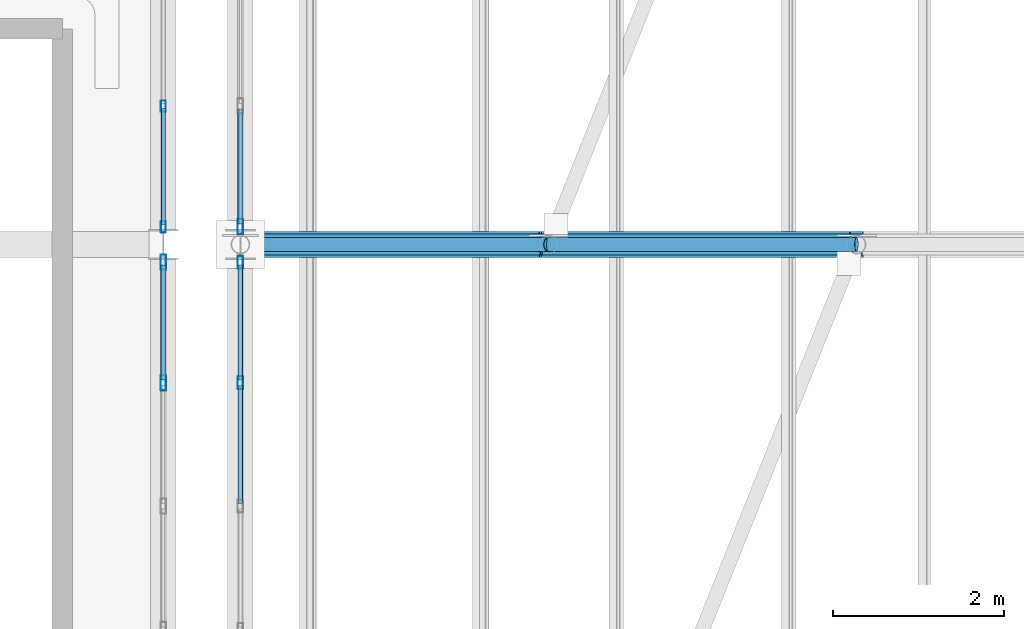
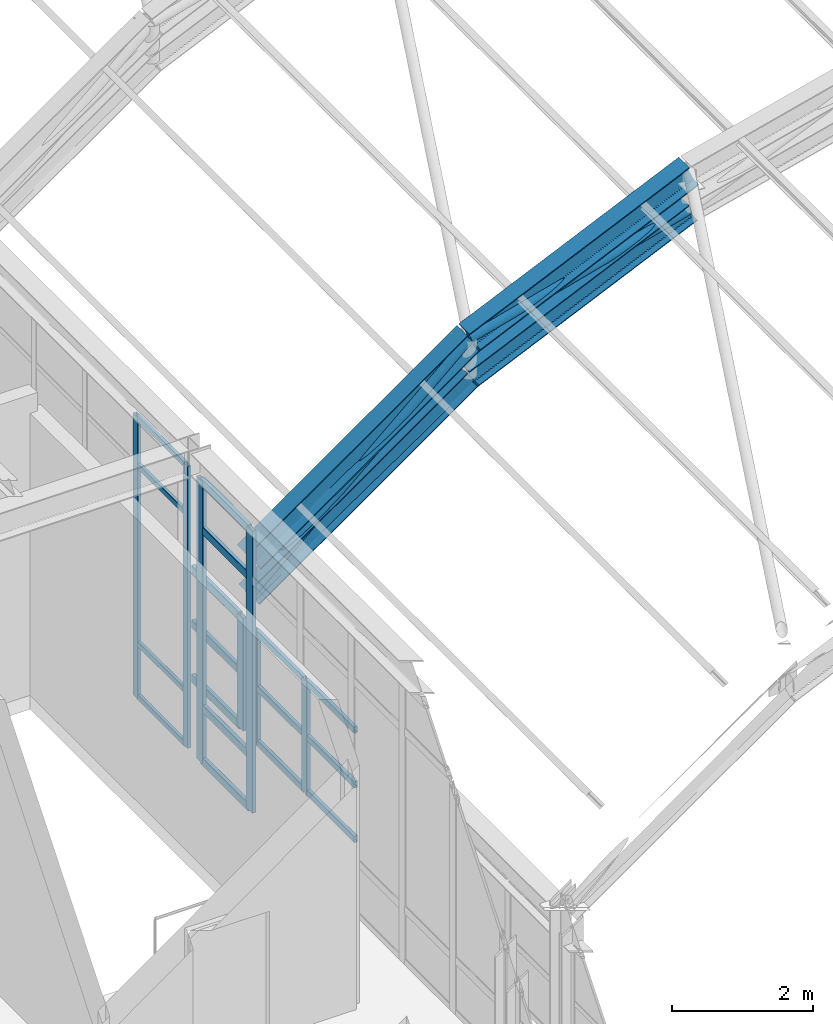
# One storey, part 68 of 121: 28 members, 2 beams, 4 elements without a shape of their own.
"""IFC4 building model written with IfcOpenShell, lengths in metres."""

from ifc_helpers import new_model, si_unit, direction, frame, origin, origin_2d, place, context, subcontext, project, spatial, hollow_rectangle, hollow_circle, i_section, extrude, material, material_profile, profile_set, type_object, element, aggregate, save


model = new_model("IFC4")

# Units and contexts
model_context = context("Model", 3, precision=1e-05, world=origin(), true_north=direction((0.0, 1.0)))
body_context = subcontext(model_context, "Body", "Model", "MODEL_VIEW")
ifc_project = project(units=[si_unit("LENGTHUNIT", "METRE"), si_unit("AREAUNIT", "SQUARE_METRE"), si_unit("VOLUMEUNIT", "CUBIC_METRE"), si_unit("PLANEANGLEUNIT", "RADIAN"), si_unit("MASSUNIT", "GRAM", prefix="KILO")], contexts=[model_context])

# Site, building, storey
site_placement = place(None, origin())
site = spatial("IfcSite", under=ifc_project, at=site_placement, CompositionType="ELEMENT")
building_placement = place(site_placement, origin())
building = spatial("IfcBuilding", under=site, at=building_placement, Name="Canglan Escarpment Cableway Terminal", CompositionType="ELEMENT")
storey_placement = place(building_placement, frame((0.0, 0.0, 24.60009765625)))
storey = spatial("IfcBuildingStorey", under=building, at=storey_placement, Name="L05", CompositionType="ELEMENT", Elevation=24.60009765625)

# Beams
ifc_material_1 = material(Name="Steel Q355B", Category="steel")
ifc_material_profile_1 = material_profile(ifc_material_1, i_section(OverallWidth=0.300048828125, OverallDepth=0.389892578125, WebThickness=0.010009765625, FlangeThickness=0.01611328125, FilletRadius=0.02197265625, at=origin_2d()), Name="HM 390x300x10x16")
ifc_profile_set_1 = profile_set([ifc_material_profile_1], Name="Steel Q355B")
beam_type = type_object("IfcBeamType", Name="BM-ARCH-TOP-HM390", PredefinedType="BEAM", material=ifc_profile_set_1)
beam_1_placement = place(storey_placement, frame((137.60009765625, 106.0, 3.08251953125), z_axis=(0.817731009495, 0.0, 0.575600552563), x_axis=(0.0, 1.0, 0.0)))
element("IfcBeam", 1, at=beam_1_placement, inside=storey, type_object=beam_type, Name="Vault ROOF TRUSS arch top chord AR-TC1", PredefinedType="BEAM", context=body_context, shape_type="SweptSolid", body=[
    extrude(i_section(OverallWidth=0.300048828125, OverallDepth=0.389892578125, WebThickness=0.010009765625, FlangeThickness=0.01611328125, FilletRadius=0.02197265625, at=origin_2d()), origin(), (0.0, 0.0, 1.0), 4.40234375),
])
beam_2_placement = place(storey_placement, frame((141.199951171875, 106.0, 5.616455078125), z_axis=(0.911752518833, 0.0, 0.410739996108), x_axis=(0.0, 1.0, 0.0)))
element("IfcBeam", 2, at=beam_2_placement, inside=storey, type_object=beam_type, Name="Vault ROOF TRUSS arch top chord AR-TC1", PredefinedType="BEAM", context=body_context, shape_type="SweptSolid", body=[
    extrude(i_section(OverallWidth=0.300048828125, OverallDepth=0.389892578125, WebThickness=0.010009765625, FlangeThickness=0.01611328125, FilletRadius=0.02197265625, at=origin_2d()), origin(), (0.0, 0.0, 1.0), 3.948486328125),
])

# Curtain wall, members
ifc_material_2 = material(Name="Anodized bronze aluminium and Low-E double glazing", Category="aluminium")
curtain_wall_type_1 = type_object("IfcCurtainWallType", Name="CW-BAY-8650x4875", PredefinedType="NOTDEFINED", material=ifc_material_2)
curtain_wall_1_placement = place(storey_placement, origin())
curtain_wall_1 = element("IfcCurtainWall", 3, at=curtain_wall_1_placement, inside=storey, type_object=curtain_wall_type_1, Name="Classical bay-between-piers glazed curtain wall CW-58", PredefinedType="NOTDEFINED")
ifc_material_3 = material(Name="Thermally broken anodized aluminium 6063-T6", Category="aluminium")
ifc_material_profile_2 = material_profile(ifc_material_3, hollow_rectangle(XDim=0.06005859375, YDim=0.1298828125, WallThickness=0.0029296875, InnerFilletRadius=0.0029296875, OuterFilletRadius=0.006103515625, at=origin_2d()), Name="ALU-MULL 60x130x3")
ifc_profile_set_2 = profile_set([ifc_material_profile_2], Name="Thermally broken anodized aluminium 6063-T6")
member_type_1 = type_object("IfcMemberType", Name="CWM-01", PredefinedType="MULLION", material=ifc_profile_set_2)
member_1_placement = place(storey_placement, frame((136.699951171875, 106.205078125, 0.0), z_axis=(0.0, 0.0, 1.0), x_axis=(-1.0, 0.0, 0.0)))
member_1 = element("IfcMember", 4, at=member_1_placement, type_object=member_type_1, Name="CW-58 mullion 1", PredefinedType="MULLION", context=body_context, shape_type="SweptSolid", body=[
    extrude(hollow_rectangle(XDim=0.06005859375, YDim=0.1298828125, WallThickness=0.0029296875, InnerFilletRadius=0.0029296875, OuterFilletRadius=0.006103515625, at=origin_2d()), origin(), (0.0, 0.0, 1.0), 4.880859375),
])
member_2_placement = place(storey_placement, frame((136.699951171875, 107.61669921875, 0.0), z_axis=(0.0, 0.0, 1.0), x_axis=(-1.0, 0.0, 0.0)))
member_2 = element("IfcMember", 5, at=member_2_placement, type_object=member_type_1, Name="CW-58 mullion 2", PredefinedType="MULLION", context=body_context, shape_type="SweptSolid", body=[
    extrude(hollow_rectangle(XDim=0.06005859375, YDim=0.1298828125, WallThickness=0.0029296875, InnerFilletRadius=0.0029296875, OuterFilletRadius=0.006103515625, at=origin_2d()), origin(), (0.0, 0.0, 1.0), 4.880859375),
])

curtain_wall_type_2 = type_object("IfcCurtainWallType", Name="CW-BAY-8650x1950", PredefinedType="NOTDEFINED", material=ifc_material_2)
curtain_wall_2_placement = place(storey_placement, origin())
curtain_wall_2 = element("IfcCurtainWall", 6, at=curtain_wall_2_placement, inside=storey, type_object=curtain_wall_type_2, Name="Classical bay-between-piers glazed curtain wall CW-66", PredefinedType="NOTDEFINED")
ifc_material_profile_3 = material_profile(ifc_material_3, hollow_rectangle(XDim=0.06494140625, YDim=0.14990234375, WallThickness=0.00341796875, InnerFilletRadius=0.00341796875, OuterFilletRadius=0.007080078125, at=origin_2d()), Name="ALU-MULL 65x150x3.5")
ifc_profile_set_3 = profile_set([ifc_material_profile_3], Name="Thermally broken anodized aluminium 6063-T6")
member_type_2 = type_object("IfcMemberType", Name="CWM-02", PredefinedType="MULLION", material=ifc_profile_set_3)
member_3_placement = place(storey_placement, frame((137.60009765625, 105.79248046875, 0.0), z_axis=(0.0, 0.0, 1.0), x_axis=(1.0, 0.0, 0.0)))
member_3 = element("IfcMember", 7, at=member_3_placement, type_object=member_type_2, Name="CW-66 mullion 1", PredefinedType="MULLION", context=body_context, shape_type="SweptSolid", body=[
    extrude(hollow_rectangle(XDim=0.06494140625, YDim=0.14990234375, WallThickness=0.00341796875, InnerFilletRadius=0.00341796875, OuterFilletRadius=0.007080078125, at=origin_2d()), origin(), (0.0, 0.0, 1.0), 1.949951171875),
])
member_4_placement = place(storey_placement, frame((137.60009765625, 104.38330078125, 0.0), z_axis=(0.0, 0.0, 1.0), x_axis=(1.0, 0.0, 0.0)))
member_4 = element("IfcMember", 8, at=member_4_placement, type_object=member_type_2, Name="CW-66 mullion 2", PredefinedType="MULLION", context=body_context, shape_type="SweptSolid", body=[
    extrude(hollow_rectangle(XDim=0.06494140625, YDim=0.14990234375, WallThickness=0.00341796875, InnerFilletRadius=0.00341796875, OuterFilletRadius=0.007080078125, at=origin_2d()), origin(), (0.0, 0.0, 1.0), 1.949951171875),
])

curtain_wall_3_placement = place(storey_placement, origin())
curtain_wall_3 = element("IfcCurtainWall", 9, at=curtain_wall_3_placement, inside=storey, type_object=curtain_wall_type_1, Name="Classical bay-between-piers glazed curtain wall CW-58", PredefinedType="NOTDEFINED")
ifc_material_profile_4 = material_profile(ifc_material_3, hollow_rectangle(XDim=0.06494140625, YDim=0.179931640625, WallThickness=0.00390625, InnerFilletRadius=0.00390625, OuterFilletRadius=0.008056640625, at=origin_2d()), Name="ALU-MULL 65x180x4")
ifc_profile_set_4 = profile_set([ifc_material_profile_4], Name="Thermally broken anodized aluminium 6063-T6")
member_type_3 = type_object("IfcMemberType", Name="CWM-03", PredefinedType="MULLION", material=ifc_profile_set_4)
member_5_placement = place(storey_placement, frame((136.699951171875, 104.38330078125, 0.0), z_axis=(0.0, 0.0, 1.0), x_axis=(-1.0, 0.0, 0.0)))
member_5 = element("IfcMember", 10, at=member_5_placement, type_object=member_type_3, Name="CW-58 mullion 6", PredefinedType="MULLION", context=body_context, shape_type="SweptSolid", body=[
    extrude(hollow_rectangle(XDim=0.06494140625, YDim=0.179931640625, WallThickness=0.00390625, InnerFilletRadius=0.00390625, OuterFilletRadius=0.008056640625, at=origin_2d()), origin(), (0.0, 0.0, 1.0), 4.880859375),
])
member_6_placement = place(storey_placement, frame((136.699951171875, 105.79248046875, 0.0), z_axis=(0.0, 0.0, 1.0), x_axis=(-1.0, 0.0, 0.0)))
member_6 = element("IfcMember", 11, at=member_6_placement, type_object=member_type_3, Name="CW-58 mullion 7", PredefinedType="MULLION", context=body_context, shape_type="SweptSolid", body=[
    extrude(hollow_rectangle(XDim=0.06494140625, YDim=0.179931640625, WallThickness=0.00390625, InnerFilletRadius=0.00390625, OuterFilletRadius=0.008056640625, at=origin_2d()), origin(), (0.0, 0.0, 1.0), 4.880859375),
])

# Curtain wall, member
curtain_wall_4_placement = place(storey_placement, origin())
curtain_wall_4 = element("IfcCurtainWall", 12, at=curtain_wall_4_placement, inside=storey, type_object=curtain_wall_type_2, Name="Classical bay-between-piers glazed curtain wall CW-66", PredefinedType="NOTDEFINED")
member_7_placement = place(storey_placement, frame((137.60009765625, 106.20751953125, 0.0), z_axis=(0.0, 0.0, 1.0), x_axis=(1.0, 0.0, 0.0)))
member_7 = element("IfcMember", 13, at=member_7_placement, type_object=member_type_3, Name="CW-66 mullion 7", PredefinedType="MULLION", context=body_context, shape_type="SweptSolid", body=[
    extrude(hollow_rectangle(XDim=0.06494140625, YDim=0.179931640625, WallThickness=0.00390625, InnerFilletRadius=0.00390625, OuterFilletRadius=0.008056640625, at=origin_2d()), origin(), (0.0, 0.0, 1.0), 1.949951171875),
])

# Member
ifc_material_profile_5 = material_profile(ifc_material_3, hollow_rectangle(XDim=0.054931640625, YDim=0.094970703125, WallThickness=0.0029296875, InnerFilletRadius=0.0029296875, OuterFilletRadius=0.006103515625, at=origin_2d()), Name="ALU-TRAN 55x95x3")
ifc_profile_set_5 = profile_set([ifc_material_profile_5], Name="Thermally broken anodized aluminium 6063-T6")
member_type_4 = type_object("IfcMemberType", Name="CWT-01", PredefinedType="USERDEFINED", material=ifc_profile_set_5)
member_8_placement = place(storey_placement, frame((136.699951171875, 106.235107421875, 0.02734375), z_axis=(0.0, 1.0, 0.0), x_axis=(-1.0, 0.0, 0.0)))
member_8 = element("IfcMember", 14, at=member_8_placement, type_object=member_type_4, Name="CW-58 transom 1.1", ObjectType="TRANSOM", PredefinedType="USERDEFINED", context=body_context, shape_type="SweptSolid", body=[
    extrude(hollow_rectangle(XDim=0.054931640625, YDim=0.094970703125, WallThickness=0.0029296875, InnerFilletRadius=0.0029296875, OuterFilletRadius=0.006103515625, at=origin_2d()), origin(), (0.0, 0.0, 1.0), 1.3515625),
])

member_9_placement = place(storey_placement, frame((136.699951171875, 106.235107421875, 0.949951171875), z_axis=(0.0, 1.0, 0.0), x_axis=(-1.0, 0.0, 0.0)))
member_9 = element("IfcMember", 15, at=member_9_placement, type_object=member_type_4, Name="CW-58 transom 1.2", ObjectType="TRANSOM", PredefinedType="USERDEFINED", context=body_context, shape_type="SweptSolid", body=[
    extrude(hollow_rectangle(XDim=0.054931640625, YDim=0.094970703125, WallThickness=0.0029296875, InnerFilletRadius=0.0029296875, OuterFilletRadius=0.006103515625, at=origin_2d()), origin(), (0.0, 0.0, 1.0), 1.3515625),
])

member_10_placement = place(storey_placement, frame((136.699951171875, 106.235107421875, 4.031005859375), z_axis=(0.0, 1.0, 0.0), x_axis=(-1.0, 0.0, 0.0)))
member_10 = element("IfcMember", 16, at=member_10_placement, type_object=member_type_4, Name="CW-58 transom 1.3", ObjectType="TRANSOM", PredefinedType="USERDEFINED", context=body_context, shape_type="SweptSolid", body=[
    extrude(hollow_rectangle(XDim=0.054931640625, YDim=0.094970703125, WallThickness=0.0029296875, InnerFilletRadius=0.0029296875, OuterFilletRadius=0.006103515625, at=origin_2d()), origin(), (0.0, 0.0, 1.0), 1.3515625),
])

member_11_placement = place(storey_placement, frame((136.699951171875, 106.235107421875, 4.853515625), z_axis=(0.0, 1.0, 0.0), x_axis=(-1.0, 0.0, 0.0)))
member_11 = element("IfcMember", 17, at=member_11_placement, type_object=member_type_4, Name="CW-58 transom 1.4", ObjectType="TRANSOM", PredefinedType="USERDEFINED", context=body_context, shape_type="SweptSolid", body=[
    extrude(hollow_rectangle(XDim=0.054931640625, YDim=0.094970703125, WallThickness=0.0029296875, InnerFilletRadius=0.0029296875, OuterFilletRadius=0.006103515625, at=origin_2d()), origin(), (0.0, 0.0, 1.0), 1.3515625),
])

aggregate(curtain_wall_1, [member_1, member_2, member_8, member_9, member_10, member_11])

ifc_material_profile_6 = material_profile(ifc_material_3, hollow_rectangle(XDim=0.06005859375, YDim=0.110107421875, WallThickness=0.0029296875, InnerFilletRadius=0.0029296875, OuterFilletRadius=0.006103515625, at=origin_2d()), Name="ALU-TRAN 60x110x3")
ifc_profile_set_6 = profile_set([ifc_material_profile_6], Name="Thermally broken anodized aluminium 6063-T6")
member_type_5 = type_object("IfcMemberType", Name="CWT-02", PredefinedType="USERDEFINED", material=ifc_profile_set_6)
member_12_placement = place(storey_placement, frame((137.60009765625, 105.760009765625, 0.02978515625), z_axis=(0.0, -1.0, 0.0), x_axis=(1.0, 0.0, 0.0)))
member_12 = element("IfcMember", 18, at=member_12_placement, type_object=member_type_5, Name="CW-66 transom 1.1", ObjectType="TRANSOM", PredefinedType="USERDEFINED", context=body_context, shape_type="SweptSolid", body=[
    extrude(hollow_rectangle(XDim=0.06005859375, YDim=0.110107421875, WallThickness=0.0029296875, InnerFilletRadius=0.0029296875, OuterFilletRadius=0.006103515625, at=origin_2d()), origin(), (0.0, 0.0, 1.0), 1.34423828125),
])

member_13_placement = place(storey_placement, frame((137.60009765625, 105.760009765625, 0.974853515625), z_axis=(0.0, -1.0, 0.0), x_axis=(1.0, 0.0, 0.0)))
member_13 = element("IfcMember", 19, at=member_13_placement, type_object=member_type_5, Name="CW-66 transom 1.2", ObjectType="TRANSOM", PredefinedType="USERDEFINED", context=body_context, shape_type="SweptSolid", body=[
    extrude(hollow_rectangle(XDim=0.06005859375, YDim=0.110107421875, WallThickness=0.0029296875, InnerFilletRadius=0.0029296875, OuterFilletRadius=0.006103515625, at=origin_2d()), origin(), (0.0, 0.0, 1.0), 1.34423828125),
])

member_14_placement = place(storey_placement, frame((137.60009765625, 105.760009765625, 1.919921875), z_axis=(0.0, -1.0, 0.0), x_axis=(1.0, 0.0, 0.0)))
member_14 = element("IfcMember", 20, at=member_14_placement, type_object=member_type_5, Name="CW-66 transom 1.3", ObjectType="TRANSOM", PredefinedType="USERDEFINED", context=body_context, shape_type="SweptSolid", body=[
    extrude(hollow_rectangle(XDim=0.06005859375, YDim=0.110107421875, WallThickness=0.0029296875, InnerFilletRadius=0.0029296875, OuterFilletRadius=0.006103515625, at=origin_2d()), origin(), (0.0, 0.0, 1.0), 1.34423828125),
])

member_15_placement = place(storey_placement, frame((137.60009765625, 104.350830078125, 0.02978515625), z_axis=(0.0, -1.0, 0.0), x_axis=(1.0, 0.0, 0.0)))
member_15 = element("IfcMember", 21, at=member_15_placement, type_object=member_type_5, Name="CW-66 transom 2.1", ObjectType="TRANSOM", PredefinedType="USERDEFINED", context=body_context, shape_type="SweptSolid", body=[
    extrude(hollow_rectangle(XDim=0.06005859375, YDim=0.110107421875, WallThickness=0.0029296875, InnerFilletRadius=0.0029296875, OuterFilletRadius=0.006103515625, at=origin_2d()), origin(), (0.0, 0.0, 1.0), 1.376708984375),
])

member_16_placement = place(storey_placement, frame((137.60009765625, 104.350830078125, 0.974853515625), z_axis=(0.0, -1.0, 0.0), x_axis=(1.0, 0.0, 0.0)))
member_16 = element("IfcMember", 22, at=member_16_placement, type_object=member_type_5, Name="CW-66 transom 2.2", ObjectType="TRANSOM", PredefinedType="USERDEFINED", context=body_context, shape_type="SweptSolid", body=[
    extrude(hollow_rectangle(XDim=0.06005859375, YDim=0.110107421875, WallThickness=0.0029296875, InnerFilletRadius=0.0029296875, OuterFilletRadius=0.006103515625, at=origin_2d()), origin(), (0.0, 0.0, 1.0), 1.376708984375),
])

member_17_placement = place(storey_placement, frame((137.60009765625, 104.350830078125, 1.919921875), z_axis=(0.0, -1.0, 0.0), x_axis=(1.0, 0.0, 0.0)))
member_17 = element("IfcMember", 23, at=member_17_placement, type_object=member_type_5, Name="CW-66 transom 2.3", ObjectType="TRANSOM", PredefinedType="USERDEFINED", context=body_context, shape_type="SweptSolid", body=[
    extrude(hollow_rectangle(XDim=0.06005859375, YDim=0.110107421875, WallThickness=0.0029296875, InnerFilletRadius=0.0029296875, OuterFilletRadius=0.006103515625, at=origin_2d()), origin(), (0.0, 0.0, 1.0), 1.376708984375),
])

aggregate(curtain_wall_2, [member_3, member_4, member_12, member_13, member_14, member_15, member_16, member_17])

ifc_material_profile_7 = material_profile(ifc_material_3, hollow_rectangle(XDim=0.06494140625, YDim=0.139892578125, WallThickness=0.00341796875, InnerFilletRadius=0.00341796875, OuterFilletRadius=0.007080078125, at=origin_2d()), Name="ALU-TRAN 65x140x3.5")
ifc_profile_set_7 = profile_set([ifc_material_profile_7], Name="Thermally broken anodized aluminium 6063-T6")
member_type_6 = type_object("IfcMemberType", Name="CWT-03", PredefinedType="USERDEFINED", material=ifc_profile_set_7)
member_18_placement = place(storey_placement, frame((136.699951171875, 104.415771484375, 0.032470703125), z_axis=(0.0, 1.0, 0.0), x_axis=(-1.0, 0.0, 0.0)))
member_18 = element("IfcMember", 24, at=member_18_placement, type_object=member_type_6, Name="CW-58 transom 6.1", ObjectType="TRANSOM", PredefinedType="USERDEFINED", context=body_context, shape_type="SweptSolid", body=[
    extrude(hollow_rectangle(XDim=0.06494140625, YDim=0.139892578125, WallThickness=0.00341796875, InnerFilletRadius=0.00341796875, OuterFilletRadius=0.007080078125, at=origin_2d()), origin(), (0.0, 0.0, 1.0), 1.34423828125),
])

member_19_placement = place(storey_placement, frame((136.699951171875, 104.415771484375, 0.949951171875), z_axis=(0.0, 1.0, 0.0), x_axis=(-1.0, 0.0, 0.0)))
member_19 = element("IfcMember", 25, at=member_19_placement, type_object=member_type_6, Name="CW-58 transom 6.2", ObjectType="TRANSOM", PredefinedType="USERDEFINED", context=body_context, shape_type="SweptSolid", body=[
    extrude(hollow_rectangle(XDim=0.06494140625, YDim=0.139892578125, WallThickness=0.00341796875, InnerFilletRadius=0.00341796875, OuterFilletRadius=0.007080078125, at=origin_2d()), origin(), (0.0, 0.0, 1.0), 1.34423828125),
])

member_20_placement = place(storey_placement, frame((136.699951171875, 104.415771484375, 4.031005859375), z_axis=(0.0, 1.0, 0.0), x_axis=(-1.0, 0.0, 0.0)))
member_20 = element("IfcMember", 26, at=member_20_placement, type_object=member_type_6, Name="CW-58 transom 6.3", ObjectType="TRANSOM", PredefinedType="USERDEFINED", context=body_context, shape_type="SweptSolid", body=[
    extrude(hollow_rectangle(XDim=0.06494140625, YDim=0.139892578125, WallThickness=0.00341796875, InnerFilletRadius=0.00341796875, OuterFilletRadius=0.007080078125, at=origin_2d()), origin(), (0.0, 0.0, 1.0), 1.34423828125),
])

member_21_placement = place(storey_placement, frame((136.699951171875, 104.415771484375, 4.848388671875), z_axis=(0.0, 1.0, 0.0), x_axis=(-1.0, 0.0, 0.0)))
member_21 = element("IfcMember", 27, at=member_21_placement, type_object=member_type_6, Name="CW-58 transom 6.4", ObjectType="TRANSOM", PredefinedType="USERDEFINED", context=body_context, shape_type="SweptSolid", body=[
    extrude(hollow_rectangle(XDim=0.06494140625, YDim=0.139892578125, WallThickness=0.00341796875, InnerFilletRadius=0.00341796875, OuterFilletRadius=0.007080078125, at=origin_2d()), origin(), (0.0, 0.0, 1.0), 1.34423828125),
])

aggregate(curtain_wall_3, [member_5, member_6, member_18, member_19, member_20, member_21])

member_22_placement = place(storey_placement, frame((137.60009765625, 107.584228515625, 0.032470703125), z_axis=(0.0, -1.0, 0.0), x_axis=(1.0, 0.0, 0.0)))
member_22 = element("IfcMember", 28, at=member_22_placement, type_object=member_type_6, Name="CW-66 transom 6.1", ObjectType="TRANSOM", PredefinedType="USERDEFINED", context=body_context, shape_type="SweptSolid", body=[
    extrude(hollow_rectangle(XDim=0.06494140625, YDim=0.139892578125, WallThickness=0.00341796875, InnerFilletRadius=0.00341796875, OuterFilletRadius=0.007080078125, at=origin_2d()), origin(), (0.0, 0.0, 1.0), 1.34423828125),
])

member_23_placement = place(storey_placement, frame((137.60009765625, 107.584228515625, 0.974853515625), z_axis=(0.0, -1.0, 0.0), x_axis=(1.0, 0.0, 0.0)))
member_23 = element("IfcMember", 29, at=member_23_placement, type_object=member_type_6, Name="CW-66 transom 6.2", ObjectType="TRANSOM", PredefinedType="USERDEFINED", context=body_context, shape_type="SweptSolid", body=[
    extrude(hollow_rectangle(XDim=0.06494140625, YDim=0.139892578125, WallThickness=0.00341796875, InnerFilletRadius=0.00341796875, OuterFilletRadius=0.007080078125, at=origin_2d()), origin(), (0.0, 0.0, 1.0), 1.34423828125),
])

member_24_placement = place(storey_placement, frame((137.60009765625, 107.584228515625, 1.91748046875), z_axis=(0.0, -1.0, 0.0), x_axis=(1.0, 0.0, 0.0)))
member_24 = element("IfcMember", 30, at=member_24_placement, type_object=member_type_6, Name="CW-66 transom 6.3", ObjectType="TRANSOM", PredefinedType="USERDEFINED", context=body_context, shape_type="SweptSolid", body=[
    extrude(hollow_rectangle(XDim=0.06494140625, YDim=0.139892578125, WallThickness=0.00341796875, InnerFilletRadius=0.00341796875, OuterFilletRadius=0.007080078125, at=origin_2d()), origin(), (0.0, 0.0, 1.0), 1.34423828125),
])

aggregate(curtain_wall_4, [member_7, member_22, member_23, member_24])

# Members
ifc_material_profile_8 = material_profile(ifc_material_1, i_section(OverallWidth=0.25, OverallDepth=0.340087890625, WebThickness=0.009033203125, FlangeThickness=0.013916015625, FilletRadius=0.02001953125, at=origin_2d()), Name="HM 340x250x9x14")
ifc_profile_set_8 = profile_set([ifc_material_profile_8], Name="Steel Q355B")
member_type_7 = type_object("IfcMemberType", Name="MB-ARCH-BOT-HM340", PredefinedType="CHORD", material=ifc_profile_set_8)
member_25_placement = place(storey_placement, frame((137.60009765625, 106.0, 2.432373046875), z_axis=(0.81770490607, 0.0, 0.575637634792), x_axis=(0.0, 1.0, 0.0)))
element("IfcMember", 31, at=member_25_placement, inside=storey, type_object=member_type_7, Name="Vault ROOF TRUSS arch bottom chord AR-BC1", PredefinedType="CHORD", context=body_context, shape_type="SweptSolid", body=[
    extrude(i_section(OverallWidth=0.25, OverallDepth=0.340087890625, WebThickness=0.009033203125, FlangeThickness=0.013916015625, FilletRadius=0.02001953125, at=origin_2d()), origin(), (0.0, 0.0, 1.0), 4.40234375),
])
member_26_placement = place(storey_placement, frame((141.199951171875, 106.0, 4.966552734375), z_axis=(0.911752518833, 0.0, 0.410739996108), x_axis=(0.0, 1.0, 0.0)))
element("IfcMember", 32, at=member_26_placement, inside=storey, type_object=member_type_7, Name="Vault ROOF TRUSS arch bottom chord AR-BC1", PredefinedType="CHORD", context=body_context, shape_type="SweptSolid", body=[
    extrude(i_section(OverallWidth=0.25, OverallDepth=0.340087890625, WebThickness=0.009033203125, FlangeThickness=0.013916015625, FilletRadius=0.02001953125, at=origin_2d()), origin(), (0.0, 0.0, 1.0), 3.948486328125),
])
ifc_material_profile_9 = material_profile(ifc_material_1, hollow_circle(Radius=0.084228515625, WallThickness=0.006103515625, at=origin_2d()), Name="CHS 168.3x6")
ifc_profile_set_9 = profile_set([ifc_material_profile_9], Name="Steel Q355B")
member_type_8 = type_object("IfcMemberType", Name="MB-ARCH-DIAG-CHS168", PredefinedType="BRACE", material=ifc_profile_set_9)
member_27_placement = place(storey_placement, frame((137.60009765625, 106.0, 2.432373046875), z_axis=(0.749038254518, 0.0, 0.662526749096), x_axis=(0.0, 1.0, 0.0)))
element("IfcMember", 33, at=member_27_placement, inside=storey, type_object=member_type_8, Name="Vault ROOF TRUSS web diagonal AR-DG1", PredefinedType="BRACE", context=body_context, shape_type="SweptSolid", body=[
    extrude(hollow_circle(Radius=0.084228515625, WallThickness=0.006103515625, at=origin_2d()), origin(), (0.0, 0.0, 1.0), 4.805908203125),
])
member_28_placement = place(storey_placement, frame((141.199951171875, 106.0, 5.616455078125), z_axis=(0.96543600217, 0.0, 0.260640222748), x_axis=(0.0, 1.0, 0.0)))
element("IfcMember", 34, at=member_28_placement, inside=storey, type_object=member_type_8, Name="Vault ROOF TRUSS web diagonal AR-DG1", PredefinedType="BRACE", context=body_context, shape_type="SweptSolid", body=[
    extrude(hollow_circle(Radius=0.084228515625, WallThickness=0.006103515625, at=origin_2d()), origin(), (0.0, 0.0, 1.0), 3.72900390625),
])

save(model, "model.ifc")
